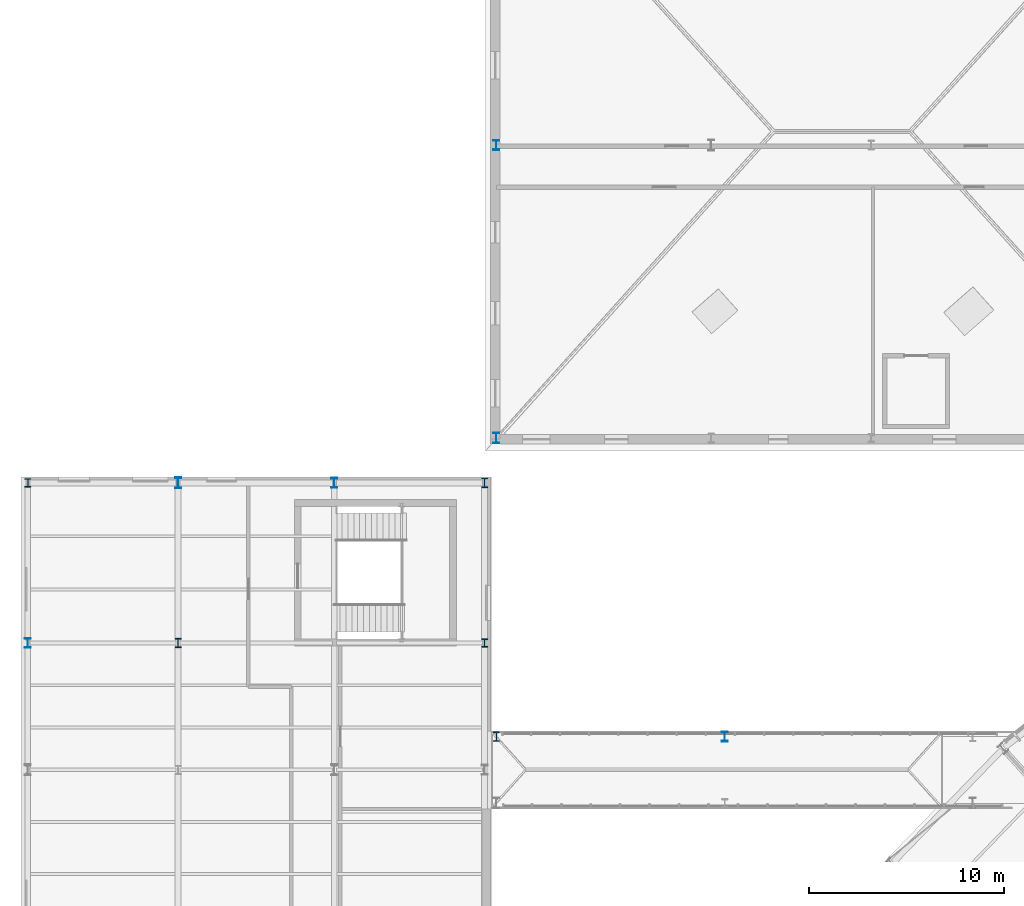
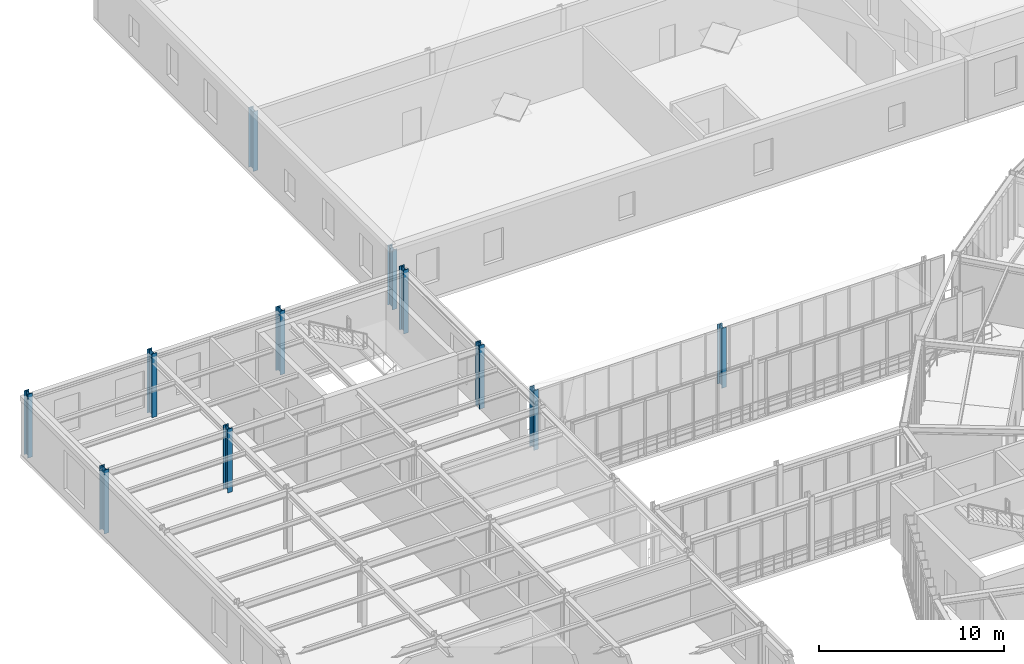
# One storey, part 4 of 57: 11 columns.
"""IFC4 building model written with IfcOpenShell, lengths in metres."""

from ifc_helpers import new_model, si_unit, direction, frame, origin, origin_2d, place, context, subcontext, project, spatial, i_section, extrude, material, material_profile, profile_set, type_object, element, save


model = new_model("IFC4")

# Units and contexts
model_context = context("Model", 3, precision=1e-05, world=origin(), true_north=direction((0.0, 1.0)))
body_context = subcontext(model_context, "Body", "Model", "MODEL_VIEW")
ifc_project = project(units=[si_unit("LENGTHUNIT", "METRE"), si_unit("AREAUNIT", "SQUARE_METRE"), si_unit("VOLUMEUNIT", "CUBIC_METRE"), si_unit("PLANEANGLEUNIT", "RADIAN"), si_unit("MASSUNIT", "GRAM", prefix="KILO"), si_unit("THERMODYNAMICTEMPERATUREUNIT", "KELVIN"), si_unit("POWERUNIT", "WATT")], contexts=[model_context])

# Site, building, storey
site_placement = place(None, origin())
site = spatial("IfcSite", under=ifc_project, at=site_placement, CompositionType="ELEMENT")
building_placement = place(site_placement, origin())
building = spatial("IfcBuilding", under=site, at=building_placement, Name="Solvatero Civic Police Headquarters", CompositionType="ELEMENT")
storey_placement = place(building_placement, frame((0.0, 0.0, 9.300048828125)))
storey = spatial("IfcBuildingStorey", under=building, at=storey_placement, Name="L02", CompositionType="ELEMENT", Elevation=9.300048828125)

# Columns
ifc_material = material(Name="Steel S355", Category="steel")
ifc_material_profile_1 = material_profile(ifc_material, i_section(OverallWidth=0.300048828125, OverallDepth=0.5, WebThickness=0.014404296875, FlangeThickness=0.028076171875, FilletRadius=0.027099609375, at=origin_2d()), Name="HEB 500")
ifc_profile_set_1 = profile_set([ifc_material_profile_1], Name="Steel S355")
column_type_1 = type_object("IfcColumnType", Name="COL-ST-HEB500", PredefinedType="COLUMN", material=ifc_profile_set_1)
column_1_placement = place(storey_placement, frame((40.5, 70.199951171875, 0.0), z_axis=(0.0, 0.0, 1.0), x_axis=(1.0, 0.0, 0.0)))
element("IfcColumn", 1, at=column_1_placement, inside=storey, type_object=column_type_1, Name="Column SB2-MID-N L02", PredefinedType="COLUMN", context=body_context, shape_type="SweptSolid", body=[
    extrude(i_section(OverallWidth=0.300048828125, OverallDepth=0.5, WebThickness=0.014404296875, FlangeThickness=0.028076171875, FilletRadius=0.027099609375, at=origin_2d()), origin(), (0.0, 0.0, 1.0), 3.93994140625),
])
for number, where, z_axis, x_axis, name in (
    (2, (4.800048828125, 75.0, 0.0), (0.0, 0.0, 1.0), (1.0, 0.0, 0.0), "Column V6-X1Y5 L02"),
    (3, (20.5, 83.199951171875, 0.0), (0.0, 0.0, 1.0), (1.0, 0.0, 0.0), "Column V6-X3Y6 L02"),
):
    element("IfcColumn", number, at=place(storey_placement, frame(where, z_axis=z_axis, x_axis=x_axis)), inside=storey, type_object=column_type_1, Name=name, PredefinedType="COLUMN", context=body_context, shape_type="SweptSolid", body=[
        extrude(i_section(OverallWidth=0.300048828125, OverallDepth=0.5, WebThickness=0.014404296875, FlangeThickness=0.028076171875, FilletRadius=0.027099609375, at=origin_2d()), origin(), (0.0, 0.0, 1.0), 4.199951171875),
    ])
column_2_placement = place(storey_placement, frame((28.800048828125, 100.5, 0.0), z_axis=(0.0, 0.0, 1.0), x_axis=(1.0, 0.0, 0.0)))
element("IfcColumn", 4, at=column_2_placement, inside=storey, type_object=column_type_1, Name="Column V7-X1Y2 L02", PredefinedType="COLUMN", context=body_context, shape_type="SweptSolid", body=[
    extrude(i_section(OverallWidth=0.300048828125, OverallDepth=0.5, WebThickness=0.014404296875, FlangeThickness=0.028076171875, FilletRadius=0.027099609375, at=origin_2d()), origin(), (0.0, 0.0, 1.0), 3.93994140625),
])
ifc_material_profile_2 = material_profile(ifc_material, i_section(OverallWidth=0.300048828125, OverallDepth=0.550048828125, WebThickness=0.014892578125, FlangeThickness=0.029052734375, FilletRadius=0.027099609375, at=origin_2d()), Name="HEB 550")
ifc_profile_set_2 = profile_set([ifc_material_profile_2], Name="Steel S355")
column_type_2 = type_object("IfcColumnType", Name="COL-ST-HEB550", PredefinedType="COLUMN", material=ifc_profile_set_2)
column_3_placement = place(storey_placement, frame((12.5, 83.199951171875, 0.0), z_axis=(0.0, 0.0, 1.0), x_axis=(1.0, 0.0, 0.0)))
element("IfcColumn", 5, at=column_3_placement, inside=storey, type_object=column_type_2, Name="Column V6-X2Y6 L02", PredefinedType="COLUMN", context=body_context, shape_type="SweptSolid", body=[
    extrude(i_section(OverallWidth=0.300048828125, OverallDepth=0.550048828125, WebThickness=0.014892578125, FlangeThickness=0.029052734375, FilletRadius=0.027099609375, at=origin_2d()), origin(), (0.0, 0.0, 1.0), 4.199951171875),
])
column_4_placement = place(storey_placement, frame((28.800048828125, 85.5, 0.0), z_axis=(0.0, 0.0, 1.0), x_axis=(1.0, 0.0, 0.0)))
element("IfcColumn", 6, at=column_4_placement, inside=storey, type_object=column_type_2, Name="Column V7-X1Y1 L02", PredefinedType="COLUMN", context=body_context, shape_type="SweptSolid", body=[
    extrude(i_section(OverallWidth=0.300048828125, OverallDepth=0.550048828125, WebThickness=0.014892578125, FlangeThickness=0.029052734375, FilletRadius=0.027099609375, at=origin_2d()), origin(), (0.0, 0.0, 1.0), 3.93994140625),
])
ifc_material_profile_3 = material_profile(ifc_material, i_section(OverallWidth=0.306884765625, OverallDepth=0.431884765625, WebThickness=0.02099609375, FlangeThickness=0.0400390625, FilletRadius=0.027099609375, at=origin_2d()), Name="HEM 400")
ifc_profile_set_3 = profile_set([ifc_material_profile_3], Name="Steel S355")
column_type_3 = type_object("IfcColumnType", Name="COL-ST-HEM400", PredefinedType="COLUMN", material=ifc_profile_set_3)
for number, where, z_axis, x_axis, name in (
    (7, (4.800048828125, 83.199951171875, 0.0), (0.0, 0.0, 1.0), (1.0, 0.0, 0.0), "Column V6-X1Y6 L02"),
    (8, (28.199951171875, 75.0, 0.0), (0.0, 0.0, 1.0), (1.0, 0.0, 0.0), "Column V6-X4Y5 L02"),
):
    element("IfcColumn", number, at=place(storey_placement, frame(where, z_axis=z_axis, x_axis=x_axis)), inside=storey, type_object=column_type_3, Name=name, PredefinedType="COLUMN", context=body_context, shape_type="SweptSolid", body=[
        extrude(i_section(OverallWidth=0.306884765625, OverallDepth=0.431884765625, WebThickness=0.02099609375, FlangeThickness=0.0400390625, FilletRadius=0.027099609375, at=origin_2d()), origin(), (0.0, 0.0, 1.0), 4.199951171875),
    ])
ifc_material_profile_4 = material_profile(ifc_material, i_section(OverallWidth=0.306884765625, OverallDepth=0.47802734375, WebThickness=0.02099609375, FlangeThickness=0.0400390625, FilletRadius=0.027099609375, at=origin_2d()), Name="HEM 450")
ifc_profile_set_4 = profile_set([ifc_material_profile_4], Name="Steel S355")
column_type_4 = type_object("IfcColumnType", Name="COL-ST-HEM450", PredefinedType="COLUMN", material=ifc_profile_set_4)
column_5_placement = place(storey_placement, frame((28.800048828125, 70.199951171875, 0.0), z_axis=(0.0, 0.0, 1.0), x_axis=(1.0, 0.0, 0.0)))
element("IfcColumn", 9, at=column_5_placement, inside=storey, type_object=column_type_4, Name="Column SB2-W-N L02", PredefinedType="COLUMN", context=body_context, shape_type="SweptSolid", body=[
    extrude(i_section(OverallWidth=0.306884765625, OverallDepth=0.47802734375, WebThickness=0.02099609375, FlangeThickness=0.0400390625, FilletRadius=0.027099609375, at=origin_2d()), origin(), (0.0, 0.0, 1.0), 3.93994140625),
])
for number, where, z_axis, x_axis, name in (
    (10, (12.5, 75.0, 0.0), (0.0, 0.0, 1.0), (1.0, 0.0, 0.0), "Column V6-X2Y5 L02"),
    (11, (28.199951171875, 83.199951171875, 0.0), (0.0, 0.0, 1.0), (1.0, 0.0, 0.0), "Column V6-X4Y6 L02"),
):
    element("IfcColumn", number, at=place(storey_placement, frame(where, z_axis=z_axis, x_axis=x_axis)), inside=storey, type_object=column_type_4, Name=name, PredefinedType="COLUMN", context=body_context, shape_type="SweptSolid", body=[
        extrude(i_section(OverallWidth=0.306884765625, OverallDepth=0.47802734375, WebThickness=0.02099609375, FlangeThickness=0.0400390625, FilletRadius=0.027099609375, at=origin_2d()), origin(), (0.0, 0.0, 1.0), 4.199951171875),
    ])

save(model, "model.ifc")
